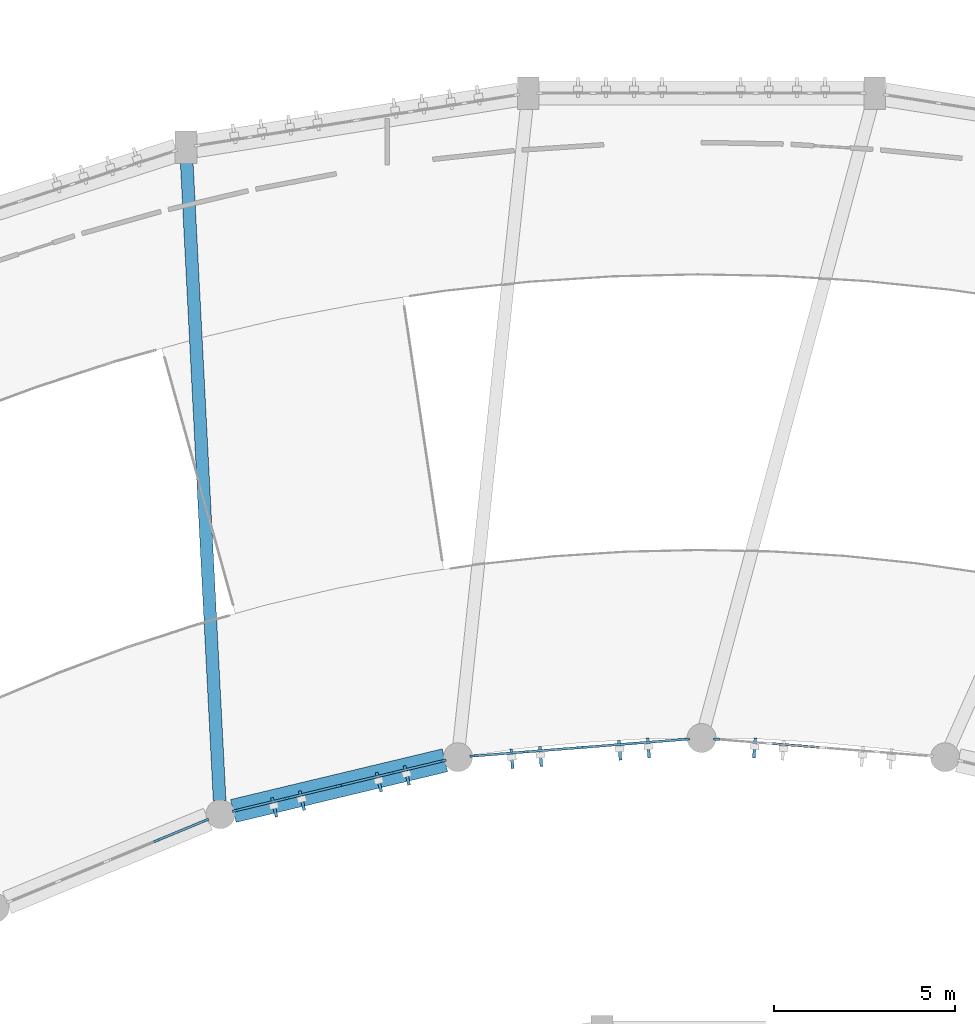
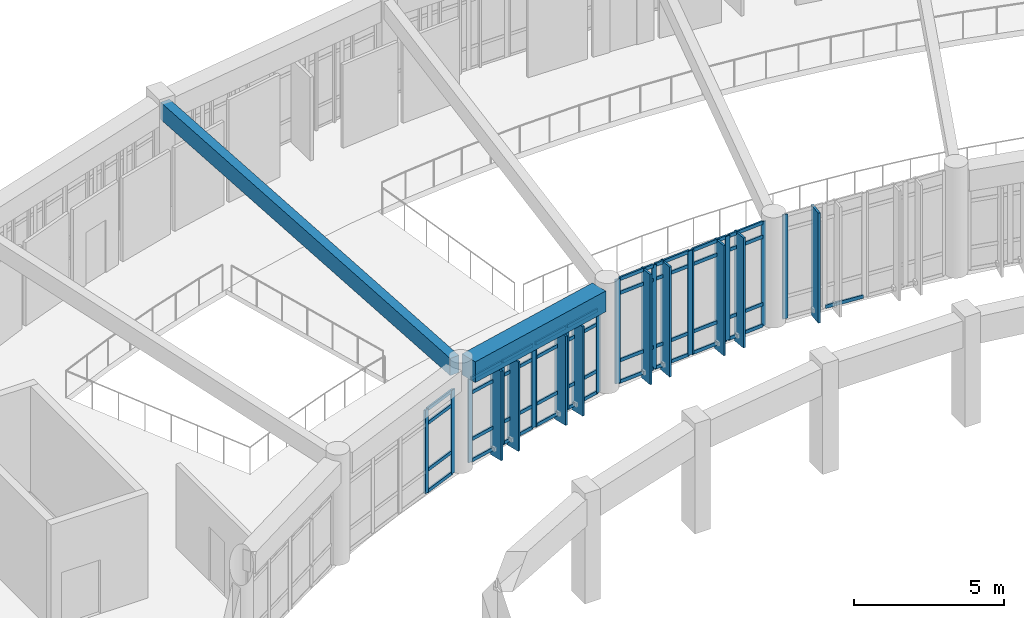
# One storey, part 14 of 54: 61 members, 2 beams, 6 elements without a shape of their own.
"""IFC4 building model written with IfcOpenShell, lengths in metres."""

from ifc_helpers import new_model, si_unit, direction, frame, origin, origin_2d, place, context, subcontext, project, spatial, rectangle, extrude, material, layer, layer_set, material_profile, profile_set, type_object, element, aggregate, save


model = new_model("IFC4")

# Units and contexts
model_context = context("Model", 3, precision=1e-05, world=origin(), true_north=direction((0.0, 1.0)))
body_context = subcontext(model_context, "Body", "Model", "MODEL_VIEW")
ifc_project = project(units=[si_unit("LENGTHUNIT", "METRE"), si_unit("AREAUNIT", "SQUARE_METRE"), si_unit("VOLUMEUNIT", "CUBIC_METRE"), si_unit("PLANEANGLEUNIT", "RADIAN"), si_unit("MASSUNIT", "GRAM", prefix="KILO")], contexts=[model_context])

# Site, building, storey
site_placement = place(None, origin())
site = spatial("IfcSite", under=ifc_project, at=site_placement, CompositionType="ELEMENT")
building_placement = place(site_placement, origin())
building = spatial("IfcBuilding", under=site, at=building_placement, Name="Miralva Faculty of Natural Sciences", CompositionType="ELEMENT")
storey_placement = place(building_placement, frame((0.0, 0.0, 19.5)))
storey = spatial("IfcBuildingStorey", under=building, at=storey_placement, Name="L04", CompositionType="ELEMENT", Elevation=19.5)

# Beams
ifc_material_1 = material(Name="Concrete C40/50", Category="concrete")
ifc_material_profile_1 = material_profile(ifc_material_1, rectangle(XDim=0.35009765625, YDim=0.699951171875, at=origin_2d()), Name="RC 350x700")
ifc_profile_set_1 = profile_set([ifc_material_profile_1], Name="Concrete C40/50")
beam_type_1 = type_object("IfcBeamType", Name="BM-B04", PredefinedType="BEAM", material=ifc_profile_set_1)
beam_1_placement = place(storey_placement, frame((76.69091796875, 20.267578125, 3.909912109375), z_axis=(-0.051530254823, 0.998671433875, 0.0), x_axis=(-0.998671433875, -0.051530254823, 0.0)))
element("IfcBeam", 1, at=beam_1_placement, inside=storey, type_object=beam_type_1, Name="Swept-arc radial girder L04-7", PredefinedType="BEAM", context=body_context, shape_type="SweptSolid", body=[
    extrude(rectangle(XDim=0.35009765625, YDim=0.699951171875, at=origin_2d()), origin(), (0.0, 0.0, 1.0), 17.79052734375),
])
ifc_material_profile_2 = material_profile(ifc_material_1, rectangle(XDim=0.64990234375, YDim=0.85009765625, at=origin_2d()), Name="RC 650x850")
ifc_profile_set_2 = profile_set([ifc_material_profile_2], Name="Concrete C40/50")
beam_type_2 = type_object("IfcBeamType", Name="BM-SP03", PredefinedType="SPANDREL", material=ifc_profile_set_2)
beam_2_placement = place(storey_placement, frame((82.912109375, 21.38427734375, 3.8349609375), z_axis=(-0.97253572319, -0.232753661883, 0.0), x_axis=(0.232753661883, -0.97253572319, 0.0)))
element("IfcBeam", 2, at=beam_2_placement, inside=storey, type_object=beam_type_2, Name="Curved chord girder ARCIN L04-6", PredefinedType="SPANDREL", context=body_context, shape_type="SweptSolid", body=[
    extrude(rectangle(XDim=0.64990234375, YDim=0.85009765625, at=origin_2d()), origin(), (0.0, 0.0, 1.0), 6.00927734375),
])

# Curtain wall, members
ifc_material_2 = material(Name="Laminated solar-control glass", Category="glass")
ifc_layer = layer(ifc_material_2, 0.179931640625, Name="CW-ARC-L03")
ifc_layer_set = layer_set([ifc_layer], Name="Laminated solar-control glass")
curtain_wall_type = type_object("IfcCurtainWallType", Name="CW-ARC-L03", PredefinedType="USERDEFINED", material=ifc_layer_set)
curtain_wall_1_placement = place(storey_placement, origin())
curtain_wall_1 = element("IfcCurtainWall", 3, at=curtain_wall_1_placement, inside=storey, type_object=curtain_wall_type, Name="Curtain wall CW-03 L04-160", ObjectType="UNITISED CURTAIN WALL", PredefinedType="USERDEFINED")
ifc_material_3 = material(Name="Anodised aluminium", Category="aluminium")
ifc_material_profile_3 = material_profile(ifc_material_3, rectangle(XDim=0.06494140625, YDim=0.179931640625, at=origin_2d()), Name="MULLION 65x180")
ifc_profile_set_3 = profile_set([ifc_material_profile_3], Name="Anodised aluminium")
member_type_1 = type_object("IfcMemberType", Name="CW-M01", PredefinedType="MULLION", material=ifc_profile_set_3)
member_1_placement = place(storey_placement, frame((74.959716796875, 19.16943359375, 0.0), z_axis=(0.0, 0.0, 1.0), x_axis=(-0.382654754557, 0.923891410727, 0.0)))
member_1 = element("IfcMember", 4, at=member_1_placement, type_object=member_type_1, Name="CW-03 mullion 2", PredefinedType="MULLION", context=body_context, shape_type="SweptSolid", body=[
    extrude(rectangle(XDim=0.06494140625, YDim=0.179931640625, at=origin_2d()), origin(), (0.0, 0.0, 1.0), 3.405029296875),
])
member_2_placement = place(storey_placement, frame((76.298828125, 19.72412109375, 0.0), z_axis=(0.0, 0.0, 1.0), x_axis=(-0.382654754557, 0.923891410727, 0.0)))
member_2 = element("IfcMember", 5, at=member_2_placement, type_object=member_type_1, Name="CW-03 mullion 3", PredefinedType="MULLION", context=body_context, shape_type="SweptSolid", body=[
    extrude(rectangle(XDim=0.06494140625, YDim=0.179931640625, at=origin_2d()), origin(), (0.0, 0.0, 1.0), 3.405029296875),
])

curtain_wall_2_placement = place(storey_placement, origin())
curtain_wall_2 = element("IfcCurtainWall", 6, at=curtain_wall_2_placement, inside=storey, type_object=curtain_wall_type, Name="Curtain wall CW-03 L04-161", ObjectType="UNITISED CURTAIN WALL", PredefinedType="USERDEFINED")
member_3_placement = place(storey_placement, frame((77.1279296875, 19.9951171875, 0.0), z_axis=(0.0, 0.0, 1.0), x_axis=(-0.233456753574, 0.972367185898, 0.0)))
member_3 = element("IfcMember", 7, at=member_3_placement, type_object=member_type_1, Name="CW-03 mullion 1", PredefinedType="MULLION", context=body_context, shape_type="SweptSolid", body=[
    extrude(rectangle(XDim=0.06494140625, YDim=0.179931640625, at=origin_2d()), origin(), (0.0, 0.0, 1.0), 3.405029296875),
])
member_4_placement = place(storey_placement, frame((78.544677734375, 20.335205078125, 0.0), z_axis=(0.0, 0.0, 1.0), x_axis=(-0.233456753574, 0.972367185898, 0.0)))
member_4 = element("IfcMember", 8, at=member_4_placement, type_object=member_type_1, Name="CW-03 mullion 2", PredefinedType="MULLION", context=body_context, shape_type="SweptSolid", body=[
    extrude(rectangle(XDim=0.06494140625, YDim=0.179931640625, at=origin_2d()), origin(), (0.0, 0.0, 1.0), 3.405029296875),
])
member_5_placement = place(storey_placement, frame((79.961181640625, 20.67529296875, 0.0), z_axis=(0.0, 0.0, 1.0), x_axis=(-0.233456753574, 0.972367185898, 0.0)))
member_5 = element("IfcMember", 9, at=member_5_placement, type_object=member_type_1, Name="CW-03 mullion 3", PredefinedType="MULLION", context=body_context, shape_type="SweptSolid", body=[
    extrude(rectangle(XDim=0.06494140625, YDim=0.179931640625, at=origin_2d()), origin(), (0.0, 0.0, 1.0), 3.405029296875),
])

curtain_wall_3_placement = place(storey_placement, origin())
curtain_wall_3 = element("IfcCurtainWall", 10, at=curtain_wall_3_placement, inside=storey, type_object=curtain_wall_type, Name="Curtain wall CW-03 L04-162", ObjectType="UNITISED CURTAIN WALL", PredefinedType="USERDEFINED")
member_6_placement = place(storey_placement, frame((80.01953125, 20.689453125, 0.0), z_axis=(0.0, 0.0, 1.0), x_axis=(-0.233464217213, 0.972365393914, 0.0)))
member_6 = element("IfcMember", 11, at=member_6_placement, type_object=member_type_1, Name="CW-03 mullion 1", PredefinedType="MULLION", context=body_context, shape_type="SweptSolid", body=[
    extrude(rectangle(XDim=0.06494140625, YDim=0.179931640625, at=origin_2d()), origin(), (0.0, 0.0, 1.0), 3.405029296875),
])
member_7_placement = place(storey_placement, frame((81.4384765625, 21.030029296875, 0.0), z_axis=(0.0, 0.0, 1.0), x_axis=(-0.233464217213, 0.972365393914, 0.0)))
member_7 = element("IfcMember", 12, at=member_7_placement, type_object=member_type_1, Name="CW-03 mullion 2", PredefinedType="MULLION", context=body_context, shape_type="SweptSolid", body=[
    extrude(rectangle(XDim=0.06494140625, YDim=0.179931640625, at=origin_2d()), origin(), (0.0, 0.0, 1.0), 3.405029296875),
])
member_8_placement = place(storey_placement, frame((82.857666015625, 21.370849609375, 0.0), z_axis=(0.0, 0.0, 1.0), x_axis=(-0.233464217213, 0.972365393914, 0.0)))
member_8 = element("IfcMember", 13, at=member_8_placement, type_object=member_type_1, Name="CW-03 mullion 3", PredefinedType="MULLION", context=body_context, shape_type="SweptSolid", body=[
    extrude(rectangle(XDim=0.06494140625, YDim=0.179931640625, at=origin_2d()), origin(), (0.0, 0.0, 1.0), 3.405029296875),
])

curtain_wall_4_placement = place(storey_placement, origin())
curtain_wall_4 = element("IfcCurtainWall", 14, at=curtain_wall_4_placement, inside=storey, type_object=curtain_wall_type, Name="Curtain wall CW-03 L04-163", ObjectType="UNITISED CURTAIN WALL", PredefinedType="USERDEFINED")
member_9_placement = place(storey_placement, frame((83.689453125, 21.50341796875, 0.0), z_axis=(0.0, 0.0, 1.0), x_axis=(-0.07845922685, 0.996917323414, 0.0)))
member_9 = element("IfcMember", 15, at=member_9_placement, type_object=member_type_1, Name="CW-03 mullion 1", PredefinedType="MULLION", context=body_context, shape_type="SweptSolid", body=[
    extrude(rectangle(XDim=0.06494140625, YDim=0.179931640625, at=origin_2d()), origin(), (0.0, 0.0, 1.0), 4.25),
])
member_10_placement = place(storey_placement, frame((85.14697265625, 21.6181640625, 0.0), z_axis=(0.0, 0.0, 1.0), x_axis=(-0.07845922685, 0.996917323414, 0.0)))
member_10 = element("IfcMember", 16, at=member_10_placement, type_object=member_type_1, Name="CW-03 mullion 2", PredefinedType="MULLION", context=body_context, shape_type="SweptSolid", body=[
    extrude(rectangle(XDim=0.06494140625, YDim=0.179931640625, at=origin_2d()), origin(), (0.0, 0.0, 1.0), 4.25),
])
member_11_placement = place(storey_placement, frame((86.604248046875, 21.732666015625, 0.0), z_axis=(0.0, 0.0, 1.0), x_axis=(-0.07845922685, 0.996917323414, 0.0)))
member_11 = element("IfcMember", 17, at=member_11_placement, type_object=member_type_1, Name="CW-03 mullion 3", PredefinedType="MULLION", context=body_context, shape_type="SweptSolid", body=[
    extrude(rectangle(XDim=0.06494140625, YDim=0.179931640625, at=origin_2d()), origin(), (0.0, 0.0, 1.0), 4.25),
])

curtain_wall_5_placement = place(storey_placement, origin())
curtain_wall_5 = element("IfcCurtainWall", 18, at=curtain_wall_5_placement, inside=storey, type_object=curtain_wall_type, Name="Curtain wall CW-03 L04-164", ObjectType="UNITISED CURTAIN WALL", PredefinedType="USERDEFINED")
member_12_placement = place(storey_placement, frame((86.6640625, 21.737548828125, 0.0), z_axis=(0.0, 0.0, 1.0), x_axis=(-0.078463994344, 0.996916948192, 0.0)))
member_12 = element("IfcMember", 19, at=member_12_placement, type_object=member_type_1, Name="CW-03 mullion 1", PredefinedType="MULLION", context=body_context, shape_type="SweptSolid", body=[
    extrude(rectangle(XDim=0.06494140625, YDim=0.179931640625, at=origin_2d()), origin(), (0.0, 0.0, 1.0), 4.25),
])
member_13_placement = place(storey_placement, frame((88.1240234375, 21.852294921875, 0.0), z_axis=(0.0, 0.0, 1.0), x_axis=(-0.078463994344, 0.996916948192, 0.0)))
member_13 = element("IfcMember", 20, at=member_13_placement, type_object=member_type_1, Name="CW-03 mullion 2", PredefinedType="MULLION", context=body_context, shape_type="SweptSolid", body=[
    extrude(rectangle(XDim=0.06494140625, YDim=0.179931640625, at=origin_2d()), origin(), (0.0, 0.0, 1.0), 4.25),
])
member_14_placement = place(storey_placement, frame((89.583740234375, 21.96728515625, 0.0), z_axis=(0.0, 0.0, 1.0), x_axis=(-0.078463994344, 0.996916948192, 0.0)))
member_14 = element("IfcMember", 21, at=member_14_placement, type_object=member_type_1, Name="CW-03 mullion 3", PredefinedType="MULLION", context=body_context, shape_type="SweptSolid", body=[
    extrude(rectangle(XDim=0.06494140625, YDim=0.179931640625, at=origin_2d()), origin(), (0.0, 0.0, 1.0), 4.25),
])

# Curtain wall, member
curtain_wall_6_placement = place(storey_placement, origin())
curtain_wall_6 = element("IfcCurtainWall", 22, at=curtain_wall_6_placement, inside=storey, type_object=curtain_wall_type, Name="Curtain wall CW-03 L04-165", ObjectType="UNITISED CURTAIN WALL", PredefinedType="USERDEFINED")
member_15_placement = place(storey_placement, frame((90.416259765625, 21.96728515625, 0.0), z_axis=(0.0, 0.0, 1.0), x_axis=(0.078461843942, 0.99691711744, 0.0)))
member_15 = element("IfcMember", 23, at=member_15_placement, type_object=member_type_1, Name="CW-03 mullion 1", PredefinedType="MULLION", context=body_context, shape_type="SweptSolid", body=[
    extrude(rectangle(XDim=0.06494140625, YDim=0.179931640625, at=origin_2d()), origin(), (0.0, 0.0, 1.0), 4.25),
])

# Member
ifc_material_profile_4 = material_profile(ifc_material_3, rectangle(XDim=0.06494140625, YDim=0.139892578125, at=origin_2d()), Name="TRANSOM 65x140")
ifc_profile_set_4 = profile_set([ifc_material_profile_4], Name="Anodised aluminium")
member_type_2 = type_object("IfcMemberType", Name="CW-T01", PredefinedType="USERDEFINED", material=ifc_profile_set_4)
member_16_placement = place(storey_placement, frame((74.98974609375, 19.181884765625, 0.032470703125), z_axis=(0.923883575944, 0.382673670509, 0.0), x_axis=(-0.382673670509, 0.923883575944, 0.0)))
member_16 = element("IfcMember", 24, at=member_16_placement, type_object=member_type_2, Name="CW-03 transom 2.1", ObjectType="TRANSOM", PredefinedType="USERDEFINED", context=body_context, shape_type="SweptSolid", body=[
    extrude(rectangle(XDim=0.06494140625, YDim=0.139892578125, at=origin_2d()), origin(), (0.0, 0.0, 1.0), 1.384521484375),
])

member_17_placement = place(storey_placement, frame((74.98974609375, 19.181884765625, 0.89990234375), z_axis=(0.923883575944, 0.382673670509, 0.0), x_axis=(-0.382673670509, 0.923883575944, 0.0)))
member_17 = element("IfcMember", 25, at=member_17_placement, type_object=member_type_2, Name="CW-03 transom 2.2", ObjectType="TRANSOM", PredefinedType="USERDEFINED", context=body_context, shape_type="SweptSolid", body=[
    extrude(rectangle(XDim=0.06494140625, YDim=0.139892578125, at=origin_2d()), origin(), (0.0, 0.0, 1.0), 1.384521484375),
])

member_18_placement = place(storey_placement, frame((74.98974609375, 19.181884765625, 2.804931640625), z_axis=(0.923883575944, 0.382673670509, 0.0), x_axis=(-0.382673670509, 0.923883575944, 0.0)))
member_18 = element("IfcMember", 26, at=member_18_placement, type_object=member_type_2, Name="CW-03 transom 2.3", ObjectType="TRANSOM", PredefinedType="USERDEFINED", context=body_context, shape_type="SweptSolid", body=[
    extrude(rectangle(XDim=0.06494140625, YDim=0.139892578125, at=origin_2d()), origin(), (0.0, 0.0, 1.0), 1.384521484375),
])

member_19_placement = place(storey_placement, frame((74.98974609375, 19.181884765625, 3.37255859375), z_axis=(0.923883575944, 0.382673670509, 0.0), x_axis=(-0.382673670509, 0.923883575944, 0.0)))
member_19 = element("IfcMember", 27, at=member_19_placement, type_object=member_type_2, Name="CW-03 transom 2.4", ObjectType="TRANSOM", PredefinedType="USERDEFINED", context=body_context, shape_type="SweptSolid", body=[
    extrude(rectangle(XDim=0.06494140625, YDim=0.139892578125, at=origin_2d()), origin(), (0.0, 0.0, 1.0), 1.384521484375),
])

aggregate(curtain_wall_1, [member_1, member_2, member_16, member_17, member_18, member_19])

member_20_placement = place(storey_placement, frame((77.15966796875, 20.002685546875, 0.032470703125), z_axis=(0.97236022589, 0.233485740693, 0.0), x_axis=(-0.233485740693, 0.97236022589, 0.0)))
member_20 = element("IfcMember", 28, at=member_20_placement, type_object=member_type_2, Name="CW-03 transom 1.1", ObjectType="TRANSOM", PredefinedType="USERDEFINED", context=body_context, shape_type="SweptSolid", body=[
    extrude(rectangle(XDim=0.06494140625, YDim=0.139892578125, at=origin_2d()), origin(), (0.0, 0.0, 1.0), 1.391845703125),
])

member_21_placement = place(storey_placement, frame((77.15966796875, 20.002685546875, 0.89990234375), z_axis=(0.97236022589, 0.233485740693, 0.0), x_axis=(-0.233485740693, 0.97236022589, 0.0)))
member_21 = element("IfcMember", 29, at=member_21_placement, type_object=member_type_2, Name="CW-03 transom 1.2", ObjectType="TRANSOM", PredefinedType="USERDEFINED", context=body_context, shape_type="SweptSolid", body=[
    extrude(rectangle(XDim=0.06494140625, YDim=0.139892578125, at=origin_2d()), origin(), (0.0, 0.0, 1.0), 1.391845703125),
])

member_22_placement = place(storey_placement, frame((77.15966796875, 20.002685546875, 2.804931640625), z_axis=(0.97236022589, 0.233485740693, 0.0), x_axis=(-0.233485740693, 0.97236022589, 0.0)))
member_22 = element("IfcMember", 30, at=member_22_placement, type_object=member_type_2, Name="CW-03 transom 1.3", ObjectType="TRANSOM", PredefinedType="USERDEFINED", context=body_context, shape_type="SweptSolid", body=[
    extrude(rectangle(XDim=0.06494140625, YDim=0.139892578125, at=origin_2d()), origin(), (0.0, 0.0, 1.0), 1.391845703125),
])

member_23_placement = place(storey_placement, frame((77.15966796875, 20.002685546875, 3.37255859375), z_axis=(0.97236022589, 0.233485740693, 0.0), x_axis=(-0.233485740693, 0.97236022589, 0.0)))
member_23 = element("IfcMember", 31, at=member_23_placement, type_object=member_type_2, Name="CW-03 transom 1.4", ObjectType="TRANSOM", PredefinedType="USERDEFINED", context=body_context, shape_type="SweptSolid", body=[
    extrude(rectangle(XDim=0.06494140625, YDim=0.139892578125, at=origin_2d()), origin(), (0.0, 0.0, 1.0), 1.391845703125),
])

member_24_placement = place(storey_placement, frame((78.576171875, 20.3427734375, 0.032470703125), z_axis=(0.972369786639, 0.233445920999, 0.0), x_axis=(-0.233445920999, 0.972369786639, 0.0)))
member_24 = element("IfcMember", 32, at=member_24_placement, type_object=member_type_2, Name="CW-03 transom 2.1", ObjectType="TRANSOM", PredefinedType="USERDEFINED", context=body_context, shape_type="SweptSolid", body=[
    extrude(rectangle(XDim=0.06494140625, YDim=0.139892578125, at=origin_2d()), origin(), (0.0, 0.0, 1.0), 1.39208984375),
])

member_25_placement = place(storey_placement, frame((78.576171875, 20.3427734375, 0.89990234375), z_axis=(0.972369786639, 0.233445920999, 0.0), x_axis=(-0.233445920999, 0.972369786639, 0.0)))
member_25 = element("IfcMember", 33, at=member_25_placement, type_object=member_type_2, Name="CW-03 transom 2.2", ObjectType="TRANSOM", PredefinedType="USERDEFINED", context=body_context, shape_type="SweptSolid", body=[
    extrude(rectangle(XDim=0.06494140625, YDim=0.139892578125, at=origin_2d()), origin(), (0.0, 0.0, 1.0), 1.39208984375),
])

member_26_placement = place(storey_placement, frame((78.576171875, 20.3427734375, 2.804931640625), z_axis=(0.972369786639, 0.233445920999, 0.0), x_axis=(-0.233445920999, 0.972369786639, 0.0)))
member_26 = element("IfcMember", 34, at=member_26_placement, type_object=member_type_2, Name="CW-03 transom 2.3", ObjectType="TRANSOM", PredefinedType="USERDEFINED", context=body_context, shape_type="SweptSolid", body=[
    extrude(rectangle(XDim=0.06494140625, YDim=0.139892578125, at=origin_2d()), origin(), (0.0, 0.0, 1.0), 1.39208984375),
])

member_27_placement = place(storey_placement, frame((78.576171875, 20.3427734375, 3.37255859375), z_axis=(0.972369786639, 0.233445920999, 0.0), x_axis=(-0.233445920999, 0.972369786639, 0.0)))
member_27 = element("IfcMember", 35, at=member_27_placement, type_object=member_type_2, Name="CW-03 transom 2.4", ObjectType="TRANSOM", PredefinedType="USERDEFINED", context=body_context, shape_type="SweptSolid", body=[
    extrude(rectangle(XDim=0.06494140625, YDim=0.139892578125, at=origin_2d()), origin(), (0.0, 0.0, 1.0), 1.39208984375),
])

aggregate(curtain_wall_2, [member_3, member_4, member_5, member_20, member_21, member_22, member_23, member_24, member_25, member_26, member_27])

member_28_placement = place(storey_placement, frame((80.051025390625, 20.697021484375, 0.032470703125), z_axis=(0.972385712744, 0.233379574196, 0.0), x_axis=(-0.233379574196, 0.972385712744, 0.0)))
member_28 = element("IfcMember", 36, at=member_28_placement, type_object=member_type_2, Name="CW-03 transom 1.1", ObjectType="TRANSOM", PredefinedType="USERDEFINED", context=body_context, shape_type="SweptSolid", body=[
    extrude(rectangle(XDim=0.06494140625, YDim=0.139892578125, at=origin_2d()), origin(), (0.0, 0.0, 1.0), 1.39453125),
])

member_29_placement = place(storey_placement, frame((80.051025390625, 20.697021484375, 0.89990234375), z_axis=(0.972385712744, 0.233379574196, 0.0), x_axis=(-0.233379574196, 0.972385712744, 0.0)))
member_29 = element("IfcMember", 37, at=member_29_placement, type_object=member_type_2, Name="CW-03 transom 1.2", ObjectType="TRANSOM", PredefinedType="USERDEFINED", context=body_context, shape_type="SweptSolid", body=[
    extrude(rectangle(XDim=0.06494140625, YDim=0.139892578125, at=origin_2d()), origin(), (0.0, 0.0, 1.0), 1.39453125),
])

member_30_placement = place(storey_placement, frame((80.051025390625, 20.697021484375, 2.804931640625), z_axis=(0.972385712744, 0.233379574196, 0.0), x_axis=(-0.233379574196, 0.972385712744, 0.0)))
member_30 = element("IfcMember", 38, at=member_30_placement, type_object=member_type_2, Name="CW-03 transom 1.3", ObjectType="TRANSOM", PredefinedType="USERDEFINED", context=body_context, shape_type="SweptSolid", body=[
    extrude(rectangle(XDim=0.06494140625, YDim=0.139892578125, at=origin_2d()), origin(), (0.0, 0.0, 1.0), 1.39453125),
])

member_31_placement = place(storey_placement, frame((80.051025390625, 20.697021484375, 3.37255859375), z_axis=(0.972385712744, 0.233379574196, 0.0), x_axis=(-0.233379574196, 0.972385712744, 0.0)))
member_31 = element("IfcMember", 39, at=member_31_placement, type_object=member_type_2, Name="CW-03 transom 1.4", ObjectType="TRANSOM", PredefinedType="USERDEFINED", context=body_context, shape_type="SweptSolid", body=[
    extrude(rectangle(XDim=0.06494140625, YDim=0.139892578125, at=origin_2d()), origin(), (0.0, 0.0, 1.0), 1.39453125),
])

member_32_placement = place(storey_placement, frame((81.47021484375, 21.03759765625, 0.032470703125), z_axis=(0.972336417448, 0.233584869598, 0.0), x_axis=(-0.233584869598, 0.972336417448, 0.0)))
member_32 = element("IfcMember", 40, at=member_32_placement, type_object=member_type_2, Name="CW-03 transom 2.1", ObjectType="TRANSOM", PredefinedType="USERDEFINED", context=body_context, shape_type="SweptSolid", body=[
    extrude(rectangle(XDim=0.06494140625, YDim=0.139892578125, at=origin_2d()), origin(), (0.0, 0.0, 1.0), 1.394287109375),
])

member_33_placement = place(storey_placement, frame((81.47021484375, 21.03759765625, 0.89990234375), z_axis=(0.972336417448, 0.233584869598, 0.0), x_axis=(-0.233584869598, 0.972336417448, 0.0)))
member_33 = element("IfcMember", 41, at=member_33_placement, type_object=member_type_2, Name="CW-03 transom 2.2", ObjectType="TRANSOM", PredefinedType="USERDEFINED", context=body_context, shape_type="SweptSolid", body=[
    extrude(rectangle(XDim=0.06494140625, YDim=0.139892578125, at=origin_2d()), origin(), (0.0, 0.0, 1.0), 1.394287109375),
])

member_34_placement = place(storey_placement, frame((81.47021484375, 21.03759765625, 2.804931640625), z_axis=(0.972336417448, 0.233584869598, 0.0), x_axis=(-0.233584869598, 0.972336417448, 0.0)))
member_34 = element("IfcMember", 42, at=member_34_placement, type_object=member_type_2, Name="CW-03 transom 2.3", ObjectType="TRANSOM", PredefinedType="USERDEFINED", context=body_context, shape_type="SweptSolid", body=[
    extrude(rectangle(XDim=0.06494140625, YDim=0.139892578125, at=origin_2d()), origin(), (0.0, 0.0, 1.0), 1.394287109375),
])

member_35_placement = place(storey_placement, frame((81.47021484375, 21.03759765625, 3.37255859375), z_axis=(0.972336417448, 0.233584869598, 0.0), x_axis=(-0.233584869598, 0.972336417448, 0.0)))
member_35 = element("IfcMember", 43, at=member_35_placement, type_object=member_type_2, Name="CW-03 transom 2.4", ObjectType="TRANSOM", PredefinedType="USERDEFINED", context=body_context, shape_type="SweptSolid", body=[
    extrude(rectangle(XDim=0.06494140625, YDim=0.139892578125, at=origin_2d()), origin(), (0.0, 0.0, 1.0), 1.394287109375),
])

aggregate(curtain_wall_3, [member_6, member_7, member_8, member_28, member_29, member_30, member_31, member_32, member_33, member_34, member_35])

member_36_placement = place(storey_placement, frame((83.721923828125, 21.505859375, 0.032470703125), z_axis=(0.996916165291, 0.078473940781, 0.0), x_axis=(-0.078473940781, 0.996916165291, 0.0)))
member_36 = element("IfcMember", 44, at=member_36_placement, type_object=member_type_2, Name="CW-03 transom 1.1", ObjectType="TRANSOM", PredefinedType="USERDEFINED", context=body_context, shape_type="SweptSolid", body=[
    extrude(rectangle(XDim=0.06494140625, YDim=0.139892578125, at=origin_2d()), origin(), (0.0, 0.0, 1.0), 1.39697265625),
])

member_37_placement = place(storey_placement, frame((83.721923828125, 21.505859375, 0.89990234375), z_axis=(0.996916165291, 0.078473940781, 0.0), x_axis=(-0.078473940781, 0.996916165291, 0.0)))
member_37 = element("IfcMember", 45, at=member_37_placement, type_object=member_type_2, Name="CW-03 transom 1.2", ObjectType="TRANSOM", PredefinedType="USERDEFINED", context=body_context, shape_type="SweptSolid", body=[
    extrude(rectangle(XDim=0.06494140625, YDim=0.139892578125, at=origin_2d()), origin(), (0.0, 0.0, 1.0), 1.39697265625),
])

member_38_placement = place(storey_placement, frame((83.721923828125, 21.505859375, 3.64990234375), z_axis=(0.996916165291, 0.078473940781, 0.0), x_axis=(-0.078473940781, 0.996916165291, 0.0)))
member_38 = element("IfcMember", 46, at=member_38_placement, type_object=member_type_2, Name="CW-03 transom 1.3", ObjectType="TRANSOM", PredefinedType="USERDEFINED", context=body_context, shape_type="SweptSolid", body=[
    extrude(rectangle(XDim=0.06494140625, YDim=0.139892578125, at=origin_2d()), origin(), (0.0, 0.0, 1.0), 1.39697265625),
])

member_39_placement = place(storey_placement, frame((83.721923828125, 21.505859375, 4.217529296875), z_axis=(0.996916165291, 0.078473940781, 0.0), x_axis=(-0.078473940781, 0.996916165291, 0.0)))
member_39 = element("IfcMember", 47, at=member_39_placement, type_object=member_type_2, Name="CW-03 transom 1.4", ObjectType="TRANSOM", PredefinedType="USERDEFINED", context=body_context, shape_type="SweptSolid", body=[
    extrude(rectangle(XDim=0.06494140625, YDim=0.139892578125, at=origin_2d()), origin(), (0.0, 0.0, 1.0), 1.39697265625),
])

member_40_placement = place(storey_placement, frame((85.17919921875, 21.62060546875, 0.032470703125), z_axis=(0.996917241301, 0.078460270174, 0.0), x_axis=(-0.078460270174, 0.996917241301, 0.0)))
member_40 = element("IfcMember", 48, at=member_40_placement, type_object=member_type_2, Name="CW-03 transom 2.1", ObjectType="TRANSOM", PredefinedType="USERDEFINED", context=body_context, shape_type="SweptSolid", body=[
    extrude(rectangle(XDim=0.06494140625, YDim=0.139892578125, at=origin_2d()), origin(), (0.0, 0.0, 1.0), 1.397216796875),
])

member_41_placement = place(storey_placement, frame((85.17919921875, 21.62060546875, 0.89990234375), z_axis=(0.996917241301, 0.078460270174, 0.0), x_axis=(-0.078460270174, 0.996917241301, 0.0)))
member_41 = element("IfcMember", 49, at=member_41_placement, type_object=member_type_2, Name="CW-03 transom 2.2", ObjectType="TRANSOM", PredefinedType="USERDEFINED", context=body_context, shape_type="SweptSolid", body=[
    extrude(rectangle(XDim=0.06494140625, YDim=0.139892578125, at=origin_2d()), origin(), (0.0, 0.0, 1.0), 1.397216796875),
])

member_42_placement = place(storey_placement, frame((85.17919921875, 21.62060546875, 3.64990234375), z_axis=(0.996917241301, 0.078460270174, 0.0), x_axis=(-0.078460270174, 0.996917241301, 0.0)))
member_42 = element("IfcMember", 50, at=member_42_placement, type_object=member_type_2, Name="CW-03 transom 2.3", ObjectType="TRANSOM", PredefinedType="USERDEFINED", context=body_context, shape_type="SweptSolid", body=[
    extrude(rectangle(XDim=0.06494140625, YDim=0.139892578125, at=origin_2d()), origin(), (0.0, 0.0, 1.0), 1.397216796875),
])

member_43_placement = place(storey_placement, frame((85.17919921875, 21.62060546875, 4.217529296875), z_axis=(0.996917241301, 0.078460270174, 0.0), x_axis=(-0.078460270174, 0.996917241301, 0.0)))
member_43 = element("IfcMember", 51, at=member_43_placement, type_object=member_type_2, Name="CW-03 transom 2.4", ObjectType="TRANSOM", PredefinedType="USERDEFINED", context=body_context, shape_type="SweptSolid", body=[
    extrude(rectangle(XDim=0.06494140625, YDim=0.139892578125, at=origin_2d()), origin(), (0.0, 0.0, 1.0), 1.397216796875),
])

aggregate(curtain_wall_4, [member_9, member_10, member_11, member_36, member_37, member_38, member_39, member_40, member_41, member_42, member_43])

member_44_placement = place(storey_placement, frame((86.696533203125, 21.739990234375, 0.032470703125), z_axis=(0.996913259646, 0.078510844739, 0.0), x_axis=(-0.078510844739, 0.996913259646, 0.0)))
member_44 = element("IfcMember", 52, at=member_44_placement, type_object=member_type_2, Name="CW-03 transom 1.1", ObjectType="TRANSOM", PredefinedType="USERDEFINED", context=body_context, shape_type="SweptSolid", body=[
    extrude(rectangle(XDim=0.06494140625, YDim=0.139892578125, at=origin_2d()), origin(), (0.0, 0.0, 1.0), 1.3994140625),
])

member_45_placement = place(storey_placement, frame((86.696533203125, 21.739990234375, 0.89990234375), z_axis=(0.996913259646, 0.078510844739, 0.0), x_axis=(-0.078510844739, 0.996913259646, 0.0)))
member_45 = element("IfcMember", 53, at=member_45_placement, type_object=member_type_2, Name="CW-03 transom 1.2", ObjectType="TRANSOM", PredefinedType="USERDEFINED", context=body_context, shape_type="SweptSolid", body=[
    extrude(rectangle(XDim=0.06494140625, YDim=0.139892578125, at=origin_2d()), origin(), (0.0, 0.0, 1.0), 1.3994140625),
])

member_46_placement = place(storey_placement, frame((86.696533203125, 21.739990234375, 3.64990234375), z_axis=(0.996913259646, 0.078510844739, 0.0), x_axis=(-0.078510844739, 0.996913259646, 0.0)))
member_46 = element("IfcMember", 54, at=member_46_placement, type_object=member_type_2, Name="CW-03 transom 1.3", ObjectType="TRANSOM", PredefinedType="USERDEFINED", context=body_context, shape_type="SweptSolid", body=[
    extrude(rectangle(XDim=0.06494140625, YDim=0.139892578125, at=origin_2d()), origin(), (0.0, 0.0, 1.0), 1.3994140625),
])

member_47_placement = place(storey_placement, frame((86.696533203125, 21.739990234375, 4.217529296875), z_axis=(0.996913259646, 0.078510844739, 0.0), x_axis=(-0.078510844739, 0.996913259646, 0.0)))
member_47 = element("IfcMember", 55, at=member_47_placement, type_object=member_type_2, Name="CW-03 transom 1.4", ObjectType="TRANSOM", PredefinedType="USERDEFINED", context=body_context, shape_type="SweptSolid", body=[
    extrude(rectangle(XDim=0.06494140625, YDim=0.139892578125, at=origin_2d()), origin(), (0.0, 0.0, 1.0), 1.3994140625),
])

member_48_placement = place(storey_placement, frame((88.15625, 21.85498046875, 0.032470703125), z_axis=(0.996927970551, 0.078323824808, 0.0), x_axis=(-0.078323824808, 0.996927970551, 0.0)))
member_48 = element("IfcMember", 56, at=member_48_placement, type_object=member_type_2, Name="CW-03 transom 2.1", ObjectType="TRANSOM", PredefinedType="USERDEFINED", context=body_context, shape_type="SweptSolid", body=[
    extrude(rectangle(XDim=0.06494140625, YDim=0.139892578125, at=origin_2d()), origin(), (0.0, 0.0, 1.0), 1.399658203125),
])

member_49_placement = place(storey_placement, frame((88.15625, 21.85498046875, 0.89990234375), z_axis=(0.996927970551, 0.078323824808, 0.0), x_axis=(-0.078323824808, 0.996927970551, 0.0)))
member_49 = element("IfcMember", 57, at=member_49_placement, type_object=member_type_2, Name="CW-03 transom 2.2", ObjectType="TRANSOM", PredefinedType="USERDEFINED", context=body_context, shape_type="SweptSolid", body=[
    extrude(rectangle(XDim=0.06494140625, YDim=0.139892578125, at=origin_2d()), origin(), (0.0, 0.0, 1.0), 1.399658203125),
])

member_50_placement = place(storey_placement, frame((88.15625, 21.85498046875, 3.64990234375), z_axis=(0.996927970551, 0.078323824808, 0.0), x_axis=(-0.078323824808, 0.996927970551, 0.0)))
member_50 = element("IfcMember", 58, at=member_50_placement, type_object=member_type_2, Name="CW-03 transom 2.3", ObjectType="TRANSOM", PredefinedType="USERDEFINED", context=body_context, shape_type="SweptSolid", body=[
    extrude(rectangle(XDim=0.06494140625, YDim=0.139892578125, at=origin_2d()), origin(), (0.0, 0.0, 1.0), 1.399658203125),
])

member_51_placement = place(storey_placement, frame((88.15625, 21.85498046875, 4.217529296875), z_axis=(0.996927970551, 0.078323824808, 0.0), x_axis=(-0.078323824808, 0.996927970551, 0.0)))
member_51 = element("IfcMember", 59, at=member_51_placement, type_object=member_type_2, Name="CW-03 transom 2.4", ObjectType="TRANSOM", PredefinedType="USERDEFINED", context=body_context, shape_type="SweptSolid", body=[
    extrude(rectangle(XDim=0.06494140625, YDim=0.139892578125, at=origin_2d()), origin(), (0.0, 0.0, 1.0), 1.399658203125),
])

aggregate(curtain_wall_5, [member_12, member_13, member_14, member_44, member_45, member_46, member_47, member_48, member_49, member_50, member_51])

member_52_placement = place(storey_placement, frame((91.906005859375, 21.85009765625, 0.032470703125), z_axis=(0.996916165291, -0.078473940781, 0.0), x_axis=(0.078473940781, 0.996916165291, 0.0)))
member_52 = element("IfcMember", 60, at=member_52_placement, type_object=member_type_2, Name="CW-03 transom 2.1", ObjectType="TRANSOM", PredefinedType="USERDEFINED", context=body_context, shape_type="SweptSolid", body=[
    extrude(rectangle(XDim=0.06494140625, YDim=0.139892578125, at=origin_2d()), origin(), (0.0, 0.0, 1.0), 1.39697265625),
])

aggregate(curtain_wall_6, [member_15, member_52])

# Members
ifc_material_profile_5 = material_profile(ifc_material_3, rectangle(XDim=0.080078125, YDim=0.550048828125, at=origin_2d()), Name="FIN 550x80")
ifc_profile_set_5 = profile_set([ifc_material_profile_5], Name="Anodised aluminium")
member_type_3 = type_object("IfcMemberType", Name="MEM-SF01", PredefinedType="USERDEFINED", material=ifc_profile_set_5)
for number, where, z_axis, x_axis, name in (
    (61, (78.1982421875, 20.087646484375, -0.239990234375), (0.0, 0.0, 1.0), (0.972369920398, 0.233445363856, 0.0), "Solar shading fin SF-01 L04-117"),
    (62, (78.9658203125, 20.27197265625, -0.239990234375), (0.0, 0.0, 1.0), (0.972369920398, 0.233445363856, 0.0), "Solar shading fin SF-01 L04-118"),
    (63, (81.0908203125, 20.781982421875, -0.239990234375), (0.0, 0.0, 1.0), (0.972369920398, 0.233445363856, 0.0), "Solar shading fin SF-01 L04-119"),
    (64, (81.86083984375, 20.967041015625, -0.239990234375), (0.0, 0.0, 1.0), (0.972369920398, 0.233445363856, 0.0), "Solar shading fin SF-01 L04-120"),
):
    element("IfcMember", number, at=place(storey_placement, frame(where, z_axis=z_axis, x_axis=x_axis)), inside=storey, type_object=member_type_3, Name=name, ObjectType="SUNSHADE", PredefinedType="USERDEFINED", context=body_context, shape_type="SweptSolid", body=[
        extrude(rectangle(XDim=0.080078125, YDim=0.550048828125, at=origin_2d()), origin(), (0.0, 0.0, 1.0), 3.64501953125),
    ])
for number, where, z_axis, x_axis, name in (
    (65, (84.763427734375, 21.427490234375, -0.239990234375), (0.0, 0.0, 1.0), (0.996917333733, 0.078459095728, 0.0), "Solar shading fin SF-01 L04-121"),
    (66, (85.555419921875, 21.48974609375, -0.239990234375), (0.0, 0.0, 1.0), (0.996917333733, 0.078459095728, 0.0), "Solar shading fin SF-01 L04-122"),
    (67, (87.7392578125, 21.66162109375, -0.239990234375), (0.0, 0.0, 1.0), (0.996917333733, 0.078459095728, 0.0), "Solar shading fin SF-01 L04-123"),
    (68, (88.53369140625, 21.72412109375, -0.239990234375), (0.0, 0.0, 1.0), (0.996917333733, 0.078459095728, 0.0), "Solar shading fin SF-01 L04-124"),
    (69, (91.465087890625, 21.72412109375, -0.239990234375), (0.0, 0.0, 1.0), (0.996917333733, -0.078459095728, 0.0), "Solar shading fin SF-01 L04-125"),
):
    element("IfcMember", number, at=place(storey_placement, frame(where, z_axis=z_axis, x_axis=x_axis)), inside=storey, type_object=member_type_3, Name=name, ObjectType="SUNSHADE", PredefinedType="USERDEFINED", context=body_context, shape_type="SweptSolid", body=[
        extrude(rectangle(XDim=0.080078125, YDim=0.550048828125, at=origin_2d()), origin(), (0.0, 0.0, 1.0), 4.489990234375),
    ])

save(model, "model.ifc")
